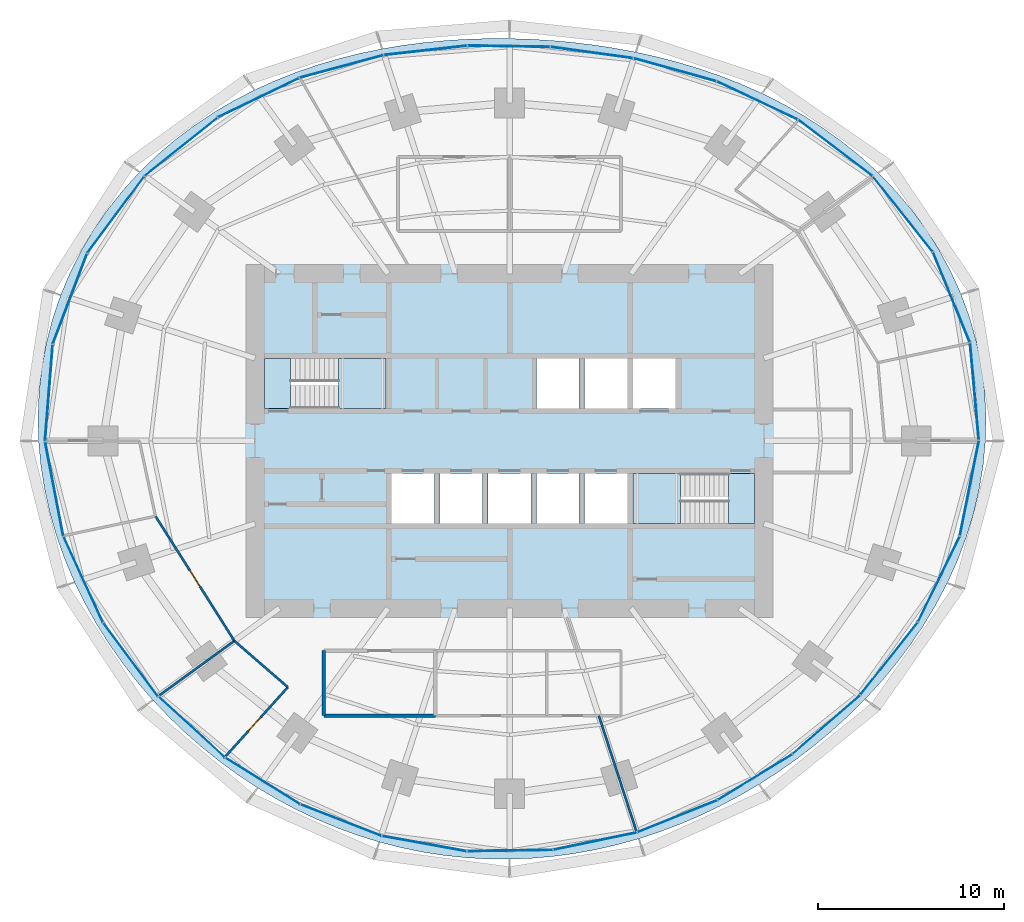
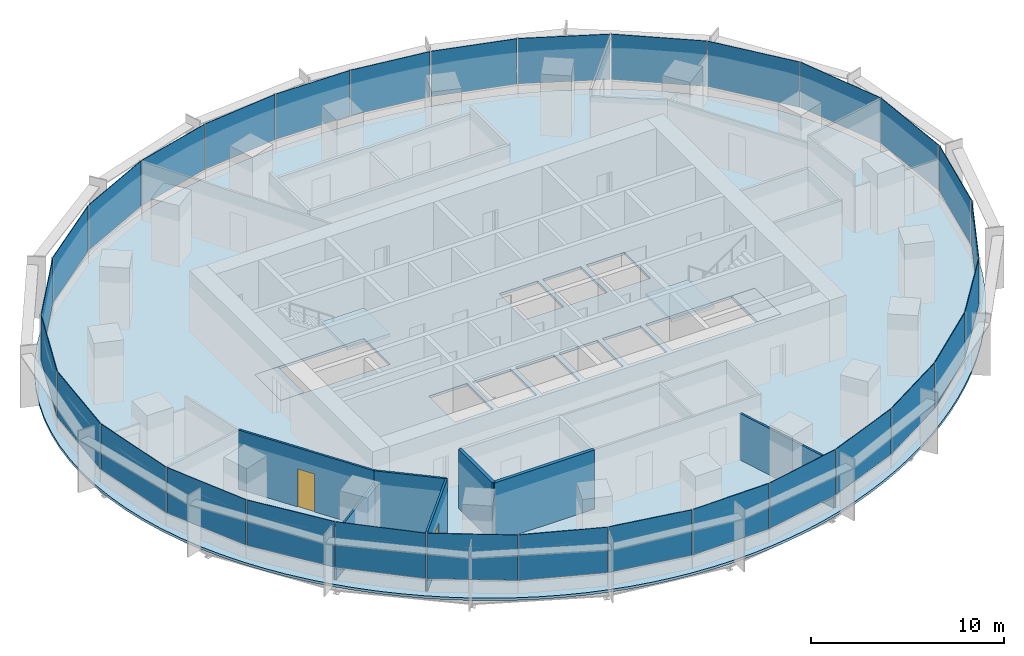
# One storey, part 9 of 14: 30 plates, 7 walls, 5 slabs, 2 doors, 2 openings, 8 elements without a shape of their own.
"""IFC4 building model written with IfcOpenShell, lengths in metres."""

from ifc_helpers import new_model, si_unit, direction, frame, frame_2d, origin, origin_2d, place, context, subcontext, project, spatial, polyline, rectangle, outline, extrude, material, layer, layer_set, type_object, element, fill, aggregate, save


model = new_model("IFC4")

# Units and contexts
model_context = context("Model", 3, precision=1e-05, world=origin(), true_north=direction((0.0, 1.0)))
body_context = subcontext(model_context, "Body", "Model", "MODEL_VIEW")
ifc_project = project(units=[si_unit("LENGTHUNIT", "METRE"), si_unit("AREAUNIT", "SQUARE_METRE"), si_unit("VOLUMEUNIT", "CUBIC_METRE"), si_unit("PLANEANGLEUNIT", "RADIAN"), si_unit("MASSUNIT", "GRAM", prefix="KILO")], contexts=[model_context])

# Site, building, storey
site_placement = place(None, origin())
site = spatial("IfcSite", under=ifc_project, at=site_placement, CompositionType="ELEMENT")
building_placement = place(site_placement, origin())
building = spatial("IfcBuilding", under=site, at=building_placement, Name="Marramba Exchange Tower", CompositionType="ELEMENT")
storey_placement = place(building_placement, frame((0.0, 0.0, 100.199951171875)))
storey = spatial("IfcBuildingStorey", under=building, at=storey_placement, Name="L23", CompositionType="ELEMENT", Elevation=100.199951171875)

# Slab
ifc_material_1 = material(Name="Concrete N40", Category="concrete")
ifc_layer_1 = layer(ifc_material_1, 0.159912109375)
ifc_layer_set_1 = layer_set([ifc_layer_1], Name="Composite floor slab 160")
slab_type_1 = type_object("IfcSlabType", Name="Composite floor slab 160", PredefinedType="FLOOR", material=ifc_layer_set_1)
slab_1_placement = place(storey_placement, frame((0.0, 0.0, -0.159912109375)))
element("IfcSlab", 1, at=slab_1_placement, inside=storey, type_object=slab_type_1, Name="Floor slab L23", PredefinedType="FLOOR", context=body_context, shape_type="SweptSolid", body=[
    extrude(outline(polyline([(25.632080078125, 0.0), (25.66064453125, 1.3447265625), (25.59033203125, 2.689697265625), (25.420166015625, 4.026123046875), (25.15087890625, 5.345947265625), (24.7841796875, 6.640869140625), (24.322998046875, 7.903076171875), (23.771484375, 9.125), (23.135009765625, 10.30029296875), (22.419677734375, 11.42333984375), (21.632080078125, 12.4892578125), (20.779541015625, 13.494384765625), (19.869384765625, 14.43603515625), (18.9091796875, 15.3125), (17.90625, 16.122802734375), (16.86767578125, 16.86767578125), (15.800048828125, 17.5478515625), (14.70947265625, 18.164794921875), (13.6015625, 18.720947265625), (12.48095703125, 19.218994140625), (11.3515625, 19.66162109375), (10.217041015625, 20.05224609375), (9.079833984375, 20.393798828125), (7.94189453125, 20.689453125), (6.804443359375, 20.942138671875), (5.668212890625, 21.154296875), (4.533447265625, 21.328369140625), (3.39990234375, 21.46630859375), (2.26708984375, 21.5693359375), (1.134033203125, 21.63818359375), (0.0, 21.673095703125), (-1.135986328125, 21.673828125), (-2.2744140625, 21.6396484375), (-3.416259765625, 21.5693359375), (-4.5615234375, 21.460693359375), (-5.71044921875, 21.31201171875), (-6.8623046875, 21.1201171875), (-8.01611328125, 20.8828125), (-9.170166015625, 20.5966796875), (-10.322509765625, 20.2587890625), (-11.4697265625, 19.8662109375), (-12.60888671875, 19.415771484375), (-13.7353515625, 18.905029296875), (-14.8447265625, 18.331787109375), (-15.931640625, 17.69384765625), (-16.989990234375, 16.989990234375), (-18.013916015625, 16.2197265625), (-18.996826171875, 15.38330078125), (-19.931884765625, 14.4814453125), (-20.8125, 13.515869140625), (-21.632080078125, 12.4892578125), (-22.384033203125, 11.4052734375), (-23.0625, 10.26806640625), (-23.661865234375, 9.0830078125), (-24.177734375, 7.855712890625), (-24.605712890625, 6.593017578125), (-24.943603515625, 5.302001953125), (-25.18896484375, 3.989501953125), (-25.341064453125, 2.663330078125), (-25.400390625, 1.3310546875), (-25.367919921875, 0.0), (-25.246337890625, -1.322998046875), (-25.038818359375, -2.631591796875), (-24.748779296875, -3.919921875), (-24.381103515625, -5.182373046875), (-23.940185546875, -6.414794921875), (-23.431396484375, -7.61328125), (-22.859130859375, -8.77490234375), (-22.22900390625, -9.89697265625), (-21.545166015625, -10.977783203125), (-20.81201171875, -12.015869140625), (-20.033935546875, -13.010009765625), (-19.2138671875, -13.959716796875), (-18.35546875, -14.86376953125), (-17.461181640625, -15.72216796875), (-16.53369140625, -16.53369140625), (-15.5751953125, -17.298095703125), (-14.587646484375, -18.014404296875), (-13.5732421875, -18.681884765625), (-12.533203125, -19.299560546875), (-11.4697265625, -19.8662109375), (-10.384765625, -20.381103515625), (-9.27978515625, -20.8427734375), (-8.157470703125, -21.250732421875), (-7.019287109375, -21.603271484375), (-5.8681640625, -21.900146484375), (-4.7060546875, -22.14013671875), (-3.53564453125, -22.322998046875), (-2.359375, -22.448486328125), (-1.179931640625, -22.516357421875), (0.0, -22.52685546875), (1.17822265625, -22.480712890625), (2.35205078125, -22.3779296875), (3.519287109375, -22.22021484375), (4.677978515625, -22.0078125), (5.825927734375, -21.742431640625), (6.96142578125, -21.425048828125), (8.0830078125, -21.05712890625), (9.189453125, -20.639892578125), (10.279296875, -20.17431640625), (11.3515625, -19.66162109375), (12.4052734375, -19.1025390625), (13.439453125, -18.497802734375), (14.45263671875, -17.847412109375), (15.44384765625, -17.152099609375), (16.411376953125, -16.411376953125), (17.353515625, -15.625244140625), (18.267822265625, -14.79296875), (19.1513671875, -13.914306640625), (20.000732421875, -12.98876953125), (20.81201171875, -12.015869140625), (21.580810546875, -10.995849609375), (22.301513671875, -9.92919921875), (22.96875, -8.81689453125), (23.57666015625, -7.660400390625), (24.11865234375, -6.462646484375), (24.588623046875, -5.2265625), (24.980224609375, -3.95654296875), (25.2880859375, -2.657958984375), (25.5068359375, -1.336669921875), (25.632080078125, 0.0)]), holes=[polyline([(1.449951171875, 1.75), (3.75, 1.75), (3.75, 4.449951171875), (1.449951171875, 4.449951171875), (1.449951171875, 1.75)]), polyline([(4.050048828125, 1.75), (6.35009765625, 1.75), (6.35009765625, 4.449951171875), (4.050048828125, 4.449951171875), (4.050048828125, 1.75)]), polyline([(-6.35009765625, -4.449951171875), (-4.050048828125, -4.449951171875), (-4.050048828125, -1.75), (-6.35009765625, -1.75), (-6.35009765625, -4.449951171875)]), polyline([(-3.75, -4.449951171875), (-1.449951171875, -4.449951171875), (-1.449951171875, -1.75), (-3.75, -1.75), (-3.75, -4.449951171875)]), polyline([(-1.14990234375, -4.449951171875), (1.14990234375, -4.449951171875), (1.14990234375, -1.75), (-1.14990234375, -1.75), (-1.14990234375, -4.449951171875)]), polyline([(1.449951171875, -4.449951171875), (3.75, -4.449951171875), (3.75, -1.75), (1.449951171875, -1.75), (1.449951171875, -4.449951171875)]), polyline([(4.050048828125, -4.449951171875), (6.35009765625, -4.449951171875), (6.35009765625, -1.75), (4.050048828125, -1.75), (4.050048828125, -4.449951171875)]), polyline([(6.64990234375, 1.75), (8.949951171875, 1.75), (8.949951171875, 4.449951171875), (6.64990234375, 4.449951171875), (6.64990234375, 1.75)]), polyline([(-13.199951171875, 1.75), (-6.64990234375, 1.75), (-6.64990234375, 4.449951171875), (-13.199951171875, 4.449951171875), (-13.199951171875, 1.75)]), polyline([(6.64990234375, -4.449951171875), (13.199951171875, -4.449951171875), (13.199951171875, -1.75), (6.64990234375, -1.75), (6.64990234375, -4.449951171875)])]), origin(), (0.0, 0.0, 1.0), 0.159912109375),
])

# Curtain wall, plates
ifc_material_2 = material(Name="Aluminium framing, bronze anodised", Category="aluminium")
curtain_wall_type = type_object("IfcCurtainWallType", Name="Office ribbon curtain wall", PredefinedType="USERDEFINED", material=ifc_material_2)
curtain_wall_1_placement = place(storey_placement, origin())
curtain_wall_1 = element("IfcCurtainWall", 2, at=curtain_wall_1_placement, inside=storey, type_object=curtain_wall_type, Name="Curtain wall CW4 L23 F01-F05", ObjectType="RIBBON CURTAIN WALL", PredefinedType="USERDEFINED")
ifc_material_3 = material(Name="Laminated double glazed unit 10.76 + 16 + 10.76, bronze tinted", Category="glass")
ifc_layer_2 = layer(ifc_material_3, 0.03759765625)
ifc_layer_set_2 = layer_set([ifc_layer_2], Name="Office ribbon curtain wall panel")
plate_type = type_object("IfcPlateType", Name="Office ribbon curtain wall panel", PredefinedType="CURTAIN_PANEL", material=ifc_layer_set_2)
plate_1_placement = place(storey_placement, frame((25.042724609375, 2.66650390625, 0.860107421875), z_axis=(0.0, 0.0, 1.0), x_axis=(-0.089412887889, 0.995994646311, 0.0)))
plate_1 = element("IfcPlate", 3, at=plate_1_placement, type_object=plate_type, Name="CW4 vision panel", PredefinedType="CURTAIN_PANEL", context=body_context, shape_type="SweptSolid", body=[
    extrude(rectangle(XDim=5.234375, YDim=0.03759765625, at=origin_2d()), origin(), (0.0, 0.0, 1.0), 2.8798828125),
])
plate_2_placement = place(storey_placement, frame((23.800537109375, 7.743408203125, 0.860107421875), z_axis=(0.0, 0.0, 1.0), x_axis=(-0.377821183171, 0.925878584668, 0.0)))
plate_2 = element("IfcPlate", 4, at=plate_2_placement, type_object=plate_type, Name="CW4 vision panel", PredefinedType="CURTAIN_PANEL", context=body_context, shape_type="SweptSolid", body=[
    extrude(rectangle(XDim=5.2158203125, YDim=0.03759765625, at=origin_2d()), origin(), (0.0, 0.0, 1.0), 2.8798828125),
])
plate_3_placement = place(storey_placement, frame((21.18212890625, 12.217529296875, 0.860107421875), z_axis=(0.0, 0.0, 1.0), x_axis=(-0.621312004611, 0.783563266703, 0.0)))
plate_3 = element("IfcPlate", 5, at=plate_3_placement, type_object=plate_type, Name="CW4 vision panel", PredefinedType="CURTAIN_PANEL", context=body_context, shape_type="SweptSolid", body=[
    extrude(rectangle(XDim=5.136962890625, YDim=0.03759765625, at=origin_2d()), origin(), (0.0, 0.0, 1.0), 2.8798828125),
])
plate_4_placement = place(storey_placement, frame((17.55224609375, 15.777099609375, 0.860107421875), z_axis=(0.0, 0.0, 1.0), x_axis=(-0.795971748366, 0.60533377223, 0.0)))
plate_4 = element("IfcPlate", 6, at=plate_4_placement, type_object=plate_type, Name="CW4 vision panel", PredefinedType="CURTAIN_PANEL", context=body_context, shape_type="SweptSolid", body=[
    extrude(rectangle(XDim=4.990966796875, YDim=0.03759765625, at=origin_2d()), origin(), (0.0, 0.0, 1.0), 2.8798828125),
])
plate_5_placement = place(storey_placement, frame((13.34423828125, 18.3359375, 0.860107421875), z_axis=(0.0, 0.0, 1.0), x_axis=(-0.904403137485, 0.426678995157, 0.0)))
plate_5 = element("IfcPlate", 7, at=plate_5_placement, type_object=plate_type, Name="CW4 vision panel", PredefinedType="CURTAIN_PANEL", context=body_context, shape_type="SweptSolid", body=[
    extrude(rectangle(XDim=4.793212890625, YDim=0.03759765625, at=origin_2d()), origin(), (0.0, 0.0, 1.0), 2.8798828125),
])
aggregate(curtain_wall_1, [plate_1, plate_2, plate_3, plate_4, plate_5])

curtain_wall_2_placement = place(storey_placement, origin())
curtain_wall_2 = element("IfcCurtainWall", 8, at=curtain_wall_2_placement, inside=storey, type_object=curtain_wall_type, Name="Curtain wall CW4 L23 F06-F10", ObjectType="RIBBON CURTAIN WALL", PredefinedType="USERDEFINED")
plate_6_placement = place(storey_placement, frame((8.907470703125, 19.991943359375, 0.860107421875), z_axis=(0.0, 0.0, 1.0), x_axis=(-0.963177845956, 0.268865090816, 0.0)))
plate_6 = element("IfcPlate", 9, at=plate_6_placement, type_object=plate_type, Name="CW4 vision panel", PredefinedType="CURTAIN_PANEL", context=body_context, shape_type="SweptSolid", body=[
    extrude(rectangle(XDim=4.591552734375, YDim=0.03759765625, at=origin_2d()), origin(), (0.0, 0.0, 1.0), 2.8798828125),
])
plate_7_placement = place(storey_placement, frame((4.43359375, 20.919189453125, 0.860107421875), z_axis=(0.0, 0.0, 1.0), x_axis=(-0.990738212841, 0.135785837319, 0.0)))
plate_7 = element("IfcPlate", 10, at=plate_7_placement, type_object=plate_type, Name="CW4 vision panel", PredefinedType="CURTAIN_PANEL", context=body_context, shape_type="SweptSolid", body=[
    extrude(rectangle(XDim=4.447509765625, YDim=0.03759765625, at=origin_2d()), origin(), (0.0, 0.0, 1.0), 2.8798828125),
])
plate_8_placement = place(storey_placement, frame((-0.03369140625, 21.2568359375, 0.860107421875), z_axis=(0.0, 0.0, 1.0), x_axis=(-0.999875869968, 0.01575578169, 0.0)))
plate_8 = element("IfcPlate", 11, at=plate_8_placement, type_object=plate_type, Name="CW4 vision panel", PredefinedType="CURTAIN_PANEL", context=body_context, shape_type="SweptSolid", body=[
    extrude(rectangle(XDim=4.408935546875, YDim=0.03759765625, at=origin_2d()), origin(), (0.0, 0.0, 1.0), 2.8798828125),
])
plate_9_placement = place(storey_placement, frame((-4.52587890625, 21.0361328125, 0.860107421875), z_axis=(0.0, 0.0, 1.0), x_axis=(-0.993823395532, -0.110973233233, 0.0)))
plate_9 = element("IfcPlate", 12, at=plate_9_placement, type_object=plate_type, Name="CW4 vision panel", PredefinedType="CURTAIN_PANEL", context=body_context, shape_type="SweptSolid", body=[
    extrude(rectangle(XDim=4.484375, YDim=0.03759765625, at=origin_2d()), origin(), (0.0, 0.0, 1.0), 2.8798828125),
])
plate_10_placement = place(storey_placement, frame((-9.053466796875, 20.16748046875, 0.860107421875), z_axis=(0.0, 0.0, 1.0), x_axis=(-0.965522047176, -0.260321294588, 0.0)))
plate_10 = element("IfcPlate", 13, at=plate_10_placement, type_object=plate_type, Name="CW4 vision panel", PredefinedType="CURTAIN_PANEL", context=body_context, shape_type="SweptSolid", body=[
    extrude(rectangle(XDim=4.642578125, YDim=0.03759765625, at=origin_2d()), origin(), (0.0, 0.0, 1.0), 2.8798828125),
])
aggregate(curtain_wall_2, [plate_6, plate_7, plate_8, plate_9, plate_10])

curtain_wall_3_placement = place(storey_placement, origin())
curtain_wall_3 = element("IfcCurtainWall", 14, at=curtain_wall_3_placement, inside=storey, type_object=curtain_wall_type, Name="Curtain wall CW4 L23 F11-F15", ObjectType="RIBBON CURTAIN WALL", PredefinedType="USERDEFINED")
plate_11_placement = place(storey_placement, frame((-13.52294921875, 18.4853515625, 0.860107421875), z_axis=(0.0, 0.0, 1.0), x_axis=(-0.900223739881, -0.435427626771, 0.0)))
plate_11 = element("IfcPlate", 15, at=plate_11_placement, type_object=plate_type, Name="CW4 vision panel", PredefinedType="CURTAIN_PANEL", context=body_context, shape_type="SweptSolid", body=[
    extrude(rectangle(XDim=4.83056640625, YDim=0.03759765625, at=origin_2d()), origin(), (0.0, 0.0, 1.0), 2.8798828125),
])
plate_12_placement = place(storey_placement, frame((-17.696533203125, 15.8359375, 0.860107421875), z_axis=(0.0, 0.0, 1.0), x_axis=(-0.78117833008, -0.624307950145, 0.0)))
plate_12 = element("IfcPlate", 16, at=plate_12_placement, type_object=plate_type, Name="CW4 vision panel", PredefinedType="CURTAIN_PANEL", context=body_context, shape_type="SweptSolid", body=[
    extrude(rectangle(XDim=4.998291015625, YDim=0.03759765625, at=origin_2d()), origin(), (0.0, 0.0, 1.0), 2.8798828125),
])
plate_13_placement = place(storey_placement, frame((-21.213623046875, 12.1767578125, 0.860107421875), z_axis=(0.0, 0.0, 1.0), x_axis=(-0.597703997504, -0.80171686484, 0.0)))
plate_13 = element("IfcPlate", 17, at=plate_13_placement, type_object=plate_type, Name="CW4 vision panel", PredefinedType="CURTAIN_PANEL", context=body_context, shape_type="SweptSolid", body=[
    extrude(rectangle(XDim=5.116455078125, YDim=0.03759765625, at=origin_2d()), origin(), (0.0, 0.0, 1.0), 2.8798828125),
])
plate_14_placement = place(storey_placement, frame((-23.6826171875, 7.6494140625, 0.860107421875), z_axis=(0.0, 0.0, 1.0), x_axis=(-0.354844468484, -0.934925346317, 0.0)))
plate_14 = element("IfcPlate", 18, at=plate_14_placement, type_object=plate_type, Name="CW4 vision panel", PredefinedType="CURTAIN_PANEL", context=body_context, shape_type="SweptSolid", body=[
    extrude(rectangle(XDim=5.177490234375, YDim=0.03759765625, at=origin_2d()), origin(), (0.0, 0.0, 1.0), 2.8798828125),
])
plate_15_placement = place(storey_placement, frame((-24.81201171875, 2.584716796875, 0.860107421875), z_axis=(0.0, 0.0, 1.0), x_axis=(-0.079459696383, -0.996838079455, 0.0)))
plate_15 = element("IfcPlate", 19, at=plate_15_placement, type_object=plate_type, Name="CW4 vision panel", PredefinedType="CURTAIN_PANEL", context=body_context, shape_type="SweptSolid", body=[
    extrude(rectangle(XDim=5.185791015625, YDim=0.03759765625, at=origin_2d()), origin(), (0.0, 0.0, 1.0), 2.8798828125),
])
aggregate(curtain_wall_3, [plate_11, plate_12, plate_13, plate_14, plate_15])

curtain_wall_4_placement = place(storey_placement, origin())
curtain_wall_4 = element("IfcCurtainWall", 20, at=curtain_wall_4_placement, inside=storey, type_object=curtain_wall_type, Name="Curtain wall CW4 L23 F16-F20", ObjectType="RIBBON CURTAIN WALL", PredefinedType="USERDEFINED")
plate_16_placement = place(storey_placement, frame((-24.522705078125, -2.584228515625, 0.860107421875), z_axis=(0.0, 0.0, 1.0), x_axis=(0.18822721487, -0.982125509078, 0.0)))
plate_16 = element("IfcPlate", 21, at=plate_16_placement, type_object=plate_type, Name="CW4 vision panel", PredefinedType="CURTAIN_PANEL", context=body_context, shape_type="SweptSolid", body=[
    extrude(rectangle(XDim=5.142578125, YDim=0.03759765625, at=origin_2d()), origin(), (0.0, 0.0, 1.0), 2.8798828125),
])
plate_17_placement = place(storey_placement, frame((-22.96142578125, -7.45947265625, 0.860107421875), z_axis=(0.0, 0.0, 1.0), x_axis=(0.416737848929, -0.909026713177, 0.0)))
plate_17 = element("IfcPlate", 22, at=plate_17_placement, type_object=plate_type, Name="CW4 vision panel", PredefinedType="CURTAIN_PANEL", context=body_context, shape_type="SweptSolid", body=[
    extrude(rectangle(XDim=5.0498046875, YDim=0.03759765625, at=origin_2d()), origin(), (0.0, 0.0, 1.0), 2.8798828125),
])
plate_18_placement = place(storey_placement, frame((-20.402099609375, -11.7783203125, 0.860107421875), z_axis=(0.0, 0.0, 1.0), x_axis=(0.597304697033, -0.802014400683, 0.0)))
plate_18 = element("IfcPlate", 23, at=plate_18_placement, type_object=plate_type, Name="CW4 vision panel", PredefinedType="CURTAIN_PANEL", context=body_context, shape_type="SweptSolid", body=[
    extrude(rectangle(XDim=4.926513671875, YDim=0.03759765625, at=origin_2d()), origin(), (0.0, 0.0, 1.0), 2.8798828125),
])
plate_19_placement = place(storey_placement, frame((-17.11376953125, -15.416259765625, 0.860107421875), z_axis=(0.0, 0.0, 1.0), x_axis=(0.737821886077, -0.674995455115, 0.0)))
plate_19 = element("IfcPlate", 24, at=plate_19_placement, type_object=plate_type, Name="CW4 vision panel", PredefinedType="CURTAIN_PANEL", context=body_context, shape_type="SweptSolid", body=[
    extrude(rectangle(XDim=4.80517578125, YDim=0.03759765625, at=origin_2d()), origin(), (0.0, 0.0, 1.0), 2.8798828125),
])
plate_20_placement = place(storey_placement, frame((-13.29248046875, -18.31640625, 0.860107421875), z_axis=(0.0, 0.0, 1.0), x_axis=(0.84835459748, -0.52942844364, 0.0)))
plate_20 = element("IfcPlate", 25, at=plate_20_placement, type_object=plate_type, Name="CW4 vision panel", PredefinedType="CURTAIN_PANEL", context=body_context, shape_type="SweptSolid", body=[
    extrude(rectangle(XDim=4.70947265625, YDim=0.03759765625, at=origin_2d()), origin(), (0.0, 0.0, 1.0), 2.8798828125),
])
aggregate(curtain_wall_4, [plate_16, plate_17, plate_18, plate_19, plate_20])

curtain_wall_5_placement = place(storey_placement, origin())
curtain_wall_5 = element("IfcCurtainWall", 26, at=curtain_wall_5_placement, inside=storey, type_object=curtain_wall_type, Name="Curtain wall CW4 L23 F21-F25", ObjectType="RIBBON CURTAIN WALL", PredefinedType="USERDEFINED")
plate_21_placement = place(storey_placement, frame((-9.074951171875, -20.427734375, 0.860107421875), z_axis=(0.0, 0.0, 1.0), x_axis=(0.931818390344, -0.36292490603, 0.0)))
plate_21 = element("IfcPlate", 27, at=plate_21_placement, type_object=plate_type, Name="CW4 vision panel", PredefinedType="CURTAIN_PANEL", context=body_context, shape_type="SweptSolid", body=[
    extrude(rectangle(XDim=4.644287109375, YDim=0.03759765625, at=origin_2d()), origin(), (0.0, 0.0, 1.0), 2.8798828125),
])
plate_22_placement = place(storey_placement, frame((-4.58740234375, -21.690673828125, 0.860107421875), z_axis=(0.0, 0.0, 1.0), x_axis=(0.984031865834, -0.177992379115, 0.0)))
plate_22 = element("IfcPlate", 28, at=plate_22_placement, type_object=plate_type, Name="CW4 vision panel", PredefinedType="CURTAIN_PANEL", context=body_context, shape_type="SweptSolid", body=[
    extrude(rectangle(XDim=4.602783203125, YDim=0.03759765625, at=origin_2d()), origin(), (0.0, 0.0, 1.0), 2.8798828125),
])
plate_23_placement = place(storey_placement, frame((0.0263671875, -22.064697265625, 0.860107421875), z_axis=(0.0, 0.0, 1.0), x_axis=(0.999884797709, 0.015178646521, 0.0)))
plate_23 = element("IfcPlate", 29, at=plate_23_placement, type_object=plate_type, Name="CW4 vision panel", PredefinedType="CURTAIN_PANEL", context=body_context, shape_type="SweptSolid", body=[
    extrude(rectangle(XDim=4.578857421875, YDim=0.03759765625, at=origin_2d()), origin(), (0.0, 0.0, 1.0), 2.8798828125),
])
plate_24_placement = place(storey_placement, frame((4.61376953125, -21.554931640625, 0.860107421875), z_axis=(0.0, 0.0, 1.0), x_axis=(0.979310199794, 0.202364850159, 0.0)))
plate_24 = element("IfcPlate", 30, at=plate_24_placement, type_object=plate_type, Name="CW4 vision panel", PredefinedType="CURTAIN_PANEL", context=body_context, shape_type="SweptSolid", body=[
    extrude(rectangle(XDim=4.57373046875, YDim=0.03759765625, at=origin_2d()), origin(), (0.0, 0.0, 1.0), 2.8798828125),
])
plate_25_placement = place(storey_placement, frame((9.042724609375, -20.214111328125, 0.860107421875), z_axis=(0.0, 0.0, 1.0), x_axis=(0.928148916059, 0.372209067082, 0.0)))
plate_25 = element("IfcPlate", 31, at=plate_25_placement, type_object=plate_type, Name="CW4 vision panel", PredefinedType="CURTAIN_PANEL", context=body_context, shape_type="SweptSolid", body=[
    extrude(rectangle(XDim=4.59814453125, YDim=0.03759765625, at=origin_2d()), origin(), (0.0, 0.0, 1.0), 2.8798828125),
])
aggregate(curtain_wall_5, [plate_21, plate_22, plate_23, plate_24, plate_25])

curtain_wall_6_placement = place(storey_placement, origin())
curtain_wall_6 = element("IfcCurtainWall", 32, at=curtain_wall_6_placement, inside=storey, type_object=curtain_wall_type, Name="Curtain wall CW4 L23 F26-F30", ObjectType="RIBBON CURTAIN WALL", PredefinedType="USERDEFINED")
plate_26_placement = place(storey_placement, frame((13.21875, -18.109619140625, 0.860107421875), z_axis=(0.0, 0.0, 1.0), x_axis=(0.853109114492, 0.521732535664, 0.0)))
plate_26 = element("IfcPlate", 33, at=plate_26_placement, type_object=plate_type, Name="CW4 vision panel", PredefinedType="CURTAIN_PANEL", context=body_context, shape_type="SweptSolid", body=[
    extrude(rectangle(XDim=4.66748046875, YDim=0.03759765625, at=origin_2d()), origin(), (0.0, 0.0, 1.0), 2.8798828125),
])
plate_27_placement = place(storey_placement, frame((17.0615234375, -15.280517578125, 0.860107421875), z_axis=(0.0, 0.0, 1.0), x_axis=(0.754385506384, 0.656431647438, 0.0)))
plate_27 = element("IfcPlate", 34, at=plate_27_placement, type_object=plate_type, Name="CW4 vision panel", PredefinedType="CURTAIN_PANEL", context=body_context, shape_type="SweptSolid", body=[
    extrude(rectangle(XDim=4.789794921875, YDim=0.03759765625, at=origin_2d()), origin(), (0.0, 0.0, 1.0), 2.8798828125),
])
plate_28_placement = place(storey_placement, frame((20.443603515625, -11.724365234375, 0.860107421875), z_axis=(0.0, 0.0, 1.0), x_axis=(0.621807472329, 0.783170139469, 0.0)))
plate_28 = element("IfcPlate", 35, at=plate_28_placement, type_object=plate_type, Name="CW4 vision panel", PredefinedType="CURTAIN_PANEL", context=body_context, shape_type="SweptSolid", body=[
    extrude(rectangle(XDim=4.947265625, YDim=0.03759765625, at=origin_2d()), origin(), (0.0, 0.0, 1.0), 2.8798828125),
])
plate_29_placement = place(storey_placement, frame((23.127197265625, -7.443359375, 0.860107421875), z_axis=(0.0, 0.0, 1.0), x_axis=(0.439086342308, 0.89844486976, 0.0)))
plate_29 = element("IfcPlate", 36, at=plate_29_placement, type_object=plate_type, Name="CW4 vision panel", PredefinedType="CURTAIN_PANEL", context=body_context, shape_type="SweptSolid", body=[
    extrude(rectangle(XDim=5.096923828125, YDim=0.03759765625, at=origin_2d()), origin(), (0.0, 0.0, 1.0), 2.8798828125),
])
plate_30_placement = place(storey_placement, frame((24.77001953125, -2.54736328125, 0.860107421875), z_axis=(0.0, 0.0, 1.0), x_axis=(0.197048511267, 0.980393739376, 0.0)))
plate_30 = element("IfcPlate", 37, at=plate_30_placement, type_object=plate_type, Name="CW4 vision panel", PredefinedType="CURTAIN_PANEL", context=body_context, shape_type="SweptSolid", body=[
    extrude(rectangle(XDim=5.19677734375, YDim=0.03759765625, at=origin_2d()), origin(), (0.0, 0.0, 1.0), 2.8798828125),
])
aggregate(curtain_wall_6, [plate_26, plate_27, plate_28, plate_29, plate_30])

# Stair, slabs
ifc_material_4 = material(Name="Concrete N40 (40 MPa)", Category="concrete")
stair_type_1 = type_object("IfcStairType", Name="Exit stair ST1 3900 x 1250", PredefinedType="HALF_TURN_STAIR", material=ifc_material_4)
stair_1_placement = place(storey_placement, origin())
stair_1 = element("IfcStair", 38, at=stair_1_placement, inside=storey, type_object=stair_type_1, Name="Exit stair ST1 L23", PredefinedType="HALF_TURN_STAIR")
ifc_layer_3 = layer(ifc_material_4, 0.199951171875)
ifc_layer_set_3 = layer_set([ifc_layer_3], Name="Stair landing 200")
slab_type_2 = type_object("IfcSlabType", Name="Stair landing 200", PredefinedType="LANDING", material=ifc_layer_set_3)
slab_2_placement = place(storey_placement, frame((0.0, 0.0, -0.199951171875)))
slab_2 = element("IfcSlab", 39, at=slab_2_placement, type_object=slab_type_2, Name="ST1 landing 1", PredefinedType="LANDING", context=body_context, shape_type="SweptSolid", body=[
    extrude(outline(polyline([(-13.199951171875, 1.75), (-11.800048828125, 1.75), (-11.800048828125, 4.449951171875), (-13.199951171875, 4.449951171875), (-13.199951171875, 1.75)])), origin(), (0.0, 0.0, 1.0), 0.199951171875),
])
slab_3_placement = place(storey_placement, frame((0.0, 0.0, 1.75)))
slab_3 = element("IfcSlab", 40, at=slab_3_placement, type_object=slab_type_2, Name="ST1 landing 2", PredefinedType="LANDING", context=body_context, shape_type="SweptSolid", body=[
    extrude(outline(polyline([(-9.199951171875, 1.75), (-6.64990234375, 1.75), (-6.64990234375, 4.449951171875), (-9.199951171875, 4.449951171875), (-9.199951171875, 1.75)])), origin(), (0.0, 0.0, 1.0), 0.199951171875),
])
aggregate(stair_1, [slab_2, slab_3])

stair_type_2 = type_object("IfcStairType", Name="Exit stair ST2 3900 x 1250", PredefinedType="HALF_TURN_STAIR", material=ifc_material_4)
stair_2_placement = place(storey_placement, origin())
stair_2 = element("IfcStair", 41, at=stair_2_placement, inside=storey, type_object=stair_type_2, Name="Exit stair ST2 L23", PredefinedType="HALF_TURN_STAIR")
slab_4_placement = place(storey_placement, frame((0.0, 0.0, -0.199951171875)))
slab_4 = element("IfcSlab", 42, at=slab_4_placement, type_object=slab_type_2, Name="ST2 landing 1", PredefinedType="LANDING", context=body_context, shape_type="SweptSolid", body=[
    extrude(outline(polyline([(11.800048828125, -4.449951171875), (13.199951171875, -4.449951171875), (13.199951171875, -1.75), (11.800048828125, -1.75), (11.800048828125, -4.449951171875)])), origin(), (0.0, 0.0, 1.0), 0.199951171875),
])
slab_5_placement = place(storey_placement, frame((0.0, 0.0, 1.75)))
slab_5 = element("IfcSlab", 43, at=slab_5_placement, type_object=slab_type_2, Name="ST2 landing 2", PredefinedType="LANDING", context=body_context, shape_type="SweptSolid", body=[
    extrude(outline(polyline([(6.64990234375, -4.449951171875), (9.199951171875, -4.449951171875), (9.199951171875, -1.75), (6.64990234375, -1.75), (6.64990234375, -4.449951171875)])), origin(), (0.0, 0.0, 1.0), 0.199951171875),
])
aggregate(stair_2, [slab_4, slab_5])

# Walls
ifc_material_5 = material(Name="Core-filled concrete blockwork, rendered", Category="masonry")
ifc_layer_4 = layer(ifc_material_5, 0.18994140625)
ifc_layer_set_4 = layer_set([ifc_layer_4], Name="Equipment room wall 190")
wall_type_1 = type_object("IfcWallType", Name="Equipment room wall 190", PredefinedType="SOLIDWALL", material=ifc_layer_set_4)
wall_1_placement = place(storey_placement, frame((-10.0, -11.300048828125, 0.0), z_axis=(0.0, 0.0, 1.0), x_axis=(0.0, -1.0, 0.0)))
element("IfcWall", 44, at=wall_1_placement, inside=storey, type_object=wall_type_1, Name="Equipment room wall L23 07", PredefinedType="SOLIDWALL", context=body_context, shape_type="SweptSolid", body=[
    extrude(rectangle(XDim=3.5, YDim=0.18994140625, at=frame_2d((1.75, 0.0))), origin(), (0.0, 0.0, 1.0), 3.739990234375),
])
wall_2_placement = place(storey_placement, frame((-10.0, -14.800048828125, 0.0), z_axis=(0.0, 0.0, 1.0), x_axis=(1.0, 0.0, 0.0)))
element("IfcWall", 45, at=wall_2_placement, inside=storey, type_object=wall_type_1, Name="Equipment room wall L23 09", PredefinedType="SOLIDWALL", context=body_context, shape_type="SweptSolid", body=[
    extrude(rectangle(XDim=6.0, YDim=0.18994140625, at=frame_2d((3.0, 0.0))), origin(), (0.0, 0.0, 1.0), 3.739990234375),
])

# Wall, opening, door
ifc_material_6 = material(Name="Plasterboard on steel studs", Category="steel")
ifc_layer_5 = layer(ifc_material_6, 0.1201171875)
ifc_layer_set_5 = layer_set([ifc_layer_5], Name="Partition 120")
wall_type_2 = type_object("IfcWallType", Name="Partition 120", PredefinedType="PARTITIONING", material=ifc_layer_set_5)
wall_3_placement = place(storey_placement, frame((-14.82080078125, -10.76806640625, 0.0), z_axis=(0.0, 0.0, 1.0), x_axis=(-0.534710673456, 0.845035203818, 0.0)))
wall_3 = element("IfcWall", 46, at=wall_3_placement, inside=storey, type_object=wall_type_2, Name="Partition L23 03", PredefinedType="PARTITIONING", context=body_context, shape_type="SweptSolid", body=[
    extrude(rectangle(XDim=7.946044921875, YDim=0.1201171875, at=frame_2d((3.97314453125, 0.0))), origin(), (0.0, 0.0, 1.0), 3.739990234375),
])
opening_1_placement = place(wall_3_placement, frame((3.472900390625, 0.0, 0.0)))
opening_1 = element("IfcOpeningElement", 47, at=opening_1_placement, cuts=wall_3, Name="Opening D9", PredefinedType="OPENING", context=body_context, shape_type="SweptSolid", body=[
    extrude(rectangle(XDim=1.0, YDim=2.39990234375, at=frame_2d((0.5, 1.199951171875))), frame((0.0, 0.070068359375, 0.0), z_axis=(0.0, -1.0, 0.0), x_axis=(1.0, 0.0, 0.0)), (0.0, 0.0, 1.0), 0.14013671875),
])
ifc_material_7 = material(Name="Timber door", Category="wood")
door_type = type_object("IfcDoorType", Name="Room door 1000x2400", OperationType="SINGLE_SWING_LEFT", PredefinedType="DOOR", material=ifc_material_7)
door_1_placement = place(opening_1_placement, origin())
door_1 = element("IfcDoor", 48, at=door_1_placement, inside=storey, type_object=door_type, Name="D9 Compliance Office 5 L23", OperationType="SINGLE_SWING_LEFT", OverallHeight=2.39990234375, OverallWidth=1.0, PredefinedType="DOOR", context=body_context, shape_type="SweptSolid", body=[
    extrude(rectangle(XDim=1.0, YDim=2.39990234375, at=frame_2d((0.5, 1.199951171875))), frame((0.0, 0.02490234375, 0.0), z_axis=(0.0, -1.0, 0.0), x_axis=(1.0, 0.0, 0.0)), (0.0, 0.0, 1.0), 0.050048828125),
])
fill(opening_1, door_1)

# Walls
wall_4_placement = place(storey_placement, frame((-14.82080078125, -10.76806640625, 0.0), z_axis=(0.0, 0.0, 1.0), x_axis=(-0.809042143657, -0.587750635718, 0.0)))
element("IfcWall", 49, at=wall_4_placement, inside=storey, type_object=wall_type_2, Name="Partition L23 04", PredefinedType="PARTITIONING", context=body_context, shape_type="SweptSolid", body=[
    extrude(rectangle(XDim=5.0, YDim=0.1201171875, at=frame_2d((2.5, 0.0))), origin(), (0.0, 0.0, 1.0), 2.93994140625),
])
wall_5_placement = place(storey_placement, frame((-11.94189453125, -13.2626953125, 0.0), z_axis=(0.0, 0.0, 1.0), x_axis=(-0.755744060509, 0.654867097208, 0.0)))
element("IfcWall", 50, at=wall_5_placement, inside=storey, type_object=wall_type_2, Name="Partition L23 05", PredefinedType="PARTITIONING", context=body_context, shape_type="SweptSolid", body=[
    extrude(rectangle(XDim=3.809326171875, YDim=0.1201171875, at=frame_2d((1.90478515625, 0.0))), origin(), (0.0, 0.0, 1.0), 3.739990234375),
])

# Wall, opening, door
wall_6_placement = place(storey_placement, frame((-15.28759765625, -16.978515625, 0.0), z_axis=(0.0, 0.0, 1.0), x_axis=(0.669126573551, 0.743148456614, 0.0)))
wall_6 = element("IfcWall", 51, at=wall_6_placement, inside=storey, type_object=wall_type_2, Name="Partition L23 06", PredefinedType="PARTITIONING", context=body_context, shape_type="SweptSolid", body=[
    extrude(rectangle(XDim=5.0, YDim=0.1201171875, at=frame_2d((2.5, 0.0))), origin(), (0.0, 0.0, 1.0), 3.739990234375),
])
opening_2_placement = place(wall_6_placement, frame((1.822021484375, 0.0, 0.0)))
opening_2 = element("IfcOpeningElement", 52, at=opening_2_placement, cuts=wall_6, Name="Opening D9", PredefinedType="OPENING", context=body_context, shape_type="SweptSolid", body=[
    extrude(rectangle(XDim=1.0, YDim=2.39990234375, at=frame_2d((0.5, 1.199951171875))), frame((0.0, 0.070068359375, 0.0), z_axis=(0.0, -1.0, 0.0), x_axis=(1.0, 0.0, 0.0)), (0.0, 0.0, 1.0), 0.14013671875),
])
door_2_placement = place(opening_2_placement, origin())
door_2 = element("IfcDoor", 53, at=door_2_placement, inside=storey, type_object=door_type, Name="D9 Compliance Office 6 L23", OperationType="SINGLE_SWING_LEFT", OverallHeight=2.39990234375, OverallWidth=1.0, PredefinedType="DOOR", context=body_context, shape_type="SweptSolid", body=[
    extrude(rectangle(XDim=1.0, YDim=2.39990234375, at=frame_2d((0.5, 1.199951171875))), frame((0.0, 0.02490234375, 0.0), z_axis=(0.0, -1.0, 0.0), x_axis=(1.0, 0.0, 0.0)), (0.0, 0.0, 1.0), 0.050048828125),
])
fill(opening_2, door_2)

# Wall
wall_7_placement = place(storey_placement, frame((6.82861328125, -21.01611328125, 0.0), z_axis=(0.0, 0.0, 1.0), x_axis=(-0.309024414348, 0.951054105368, 0.0)))
element("IfcWall", 54, at=wall_7_placement, inside=storey, type_object=wall_type_2, Name="Partition L23 15", PredefinedType="PARTITIONING", context=body_context, shape_type="SweptSolid", body=[
    extrude(rectangle(XDim=6.535888671875, YDim=0.1201171875, at=frame_2d((3.26806640625, 0.0))), origin(), (0.0, 0.0, 1.0), 2.93994140625),
])

save(model, "model.ifc")
